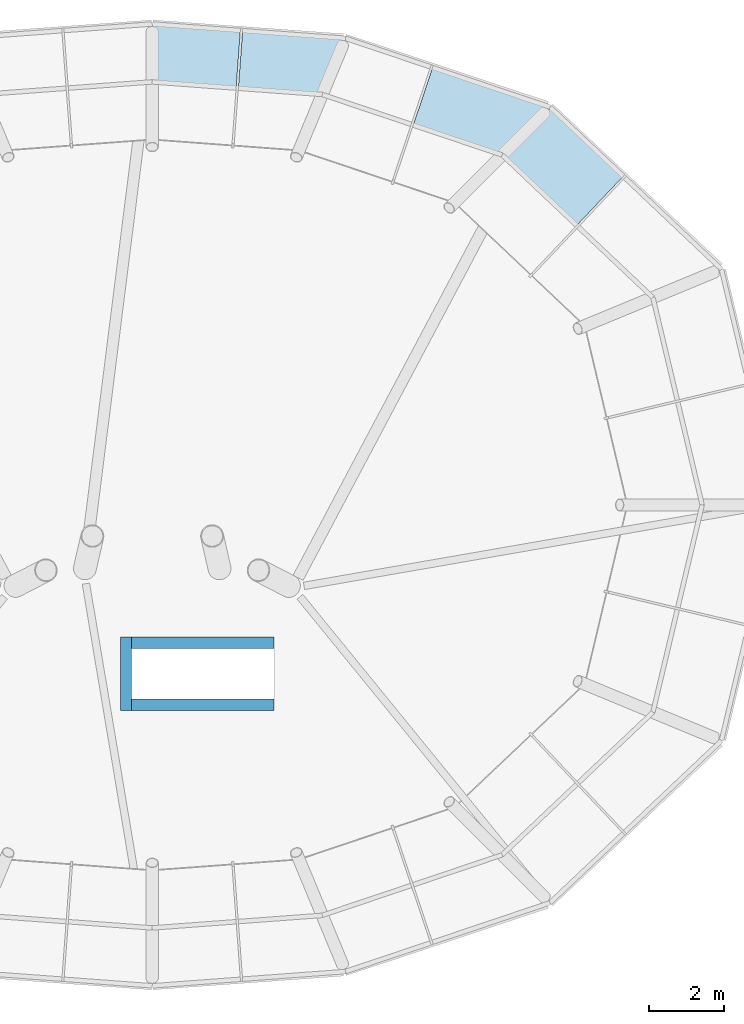
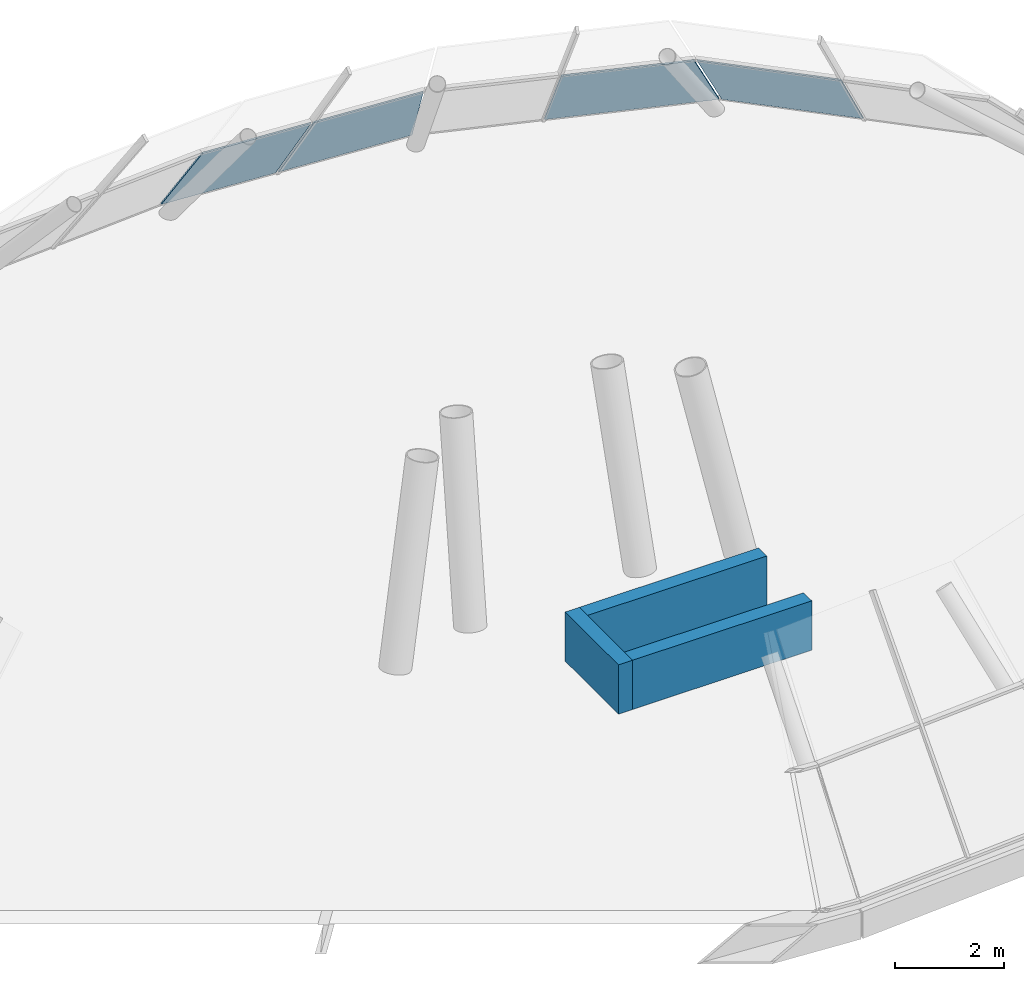
# One storey, part 4 of 4: 4 plates, 3 walls, 3 elements without a shape of their own.
"""IFC4 building model written with IfcOpenShell, lengths in metres."""

from ifc_helpers import new_model, si_unit, direction, frame, frame_2d, origin, place, context, subcontext, project, spatial, polyline, rectangle, outline, extrude, material, layer, layer_set, type_object, element, aggregate, save


model = new_model("IFC4")

# Units and contexts
model_context = context("Model", 3, precision=1e-05, world=origin(), true_north=direction((0.0, 1.0)))
body_context = subcontext(model_context, "Body", "Model", "MODEL_VIEW")
ifc_project = project(units=[si_unit("LENGTHUNIT", "METRE"), si_unit("AREAUNIT", "SQUARE_METRE"), si_unit("VOLUMEUNIT", "CUBIC_METRE"), si_unit("PLANEANGLEUNIT", "RADIAN"), si_unit("MASSUNIT", "GRAM", prefix="KILO")], contexts=[model_context])

# Site, building, storey
site_placement = place(None, origin())
site = spatial("IfcSite", under=ifc_project, at=site_placement, CompositionType="ELEMENT")
building_placement = place(site_placement, origin())
building = spatial("IfcBuilding", under=site, at=building_placement, Name="Rubra Terraces Tower", CompositionType="ELEMENT")
storey_placement = place(building_placement, frame((0.0, 0.0, 324.60009765625)))
storey = spatial("IfcBuildingStorey", under=building, at=storey_placement, Name="L80", CompositionType="ELEMENT", Elevation=324.60009765625)

# Curtain wall, plate
ifc_material_1 = material(Name="Aluminium and glass", Category="aluminium")
curtain_wall_type = type_object("IfcCurtainWallType", Name="Curtain wall Crown glazing", PredefinedType="NOTDEFINED", material=ifc_material_1)
curtain_wall_1_placement = place(storey_placement, origin())
curtain_wall_1 = element("IfcCurtainWall", 1, at=curtain_wall_1_placement, inside=storey, type_object=curtain_wall_type, Name="Crown glazing L80 facet 2", PredefinedType="NOTDEFINED")
ifc_material_2 = material(Name="Clear glass, laminated", Category="glass")
ifc_layer_1 = layer(ifc_material_2, 0.028076171875)
ifc_layer_set_1 = layer_set([ifc_layer_1], Name="Clear glass, laminated")
plate_type = type_object("IfcPlateType", Name="Crown glazing glass panel 28", PredefinedType="CURTAIN_PANEL", material=ifc_layer_set_1)
plate_1_placement = place(storey_placement, frame((12.534423828125, 8.740966796875, 0.021728515625), z_axis=(0.521231340121, 0.551176035659, 0.651554194056), x_axis=(-0.726567378819, 0.687095221956, -1.123479e-06)))
plate_1 = element("IfcPlate", 2, at=plate_1_placement, type_object=plate_type, Name="Crown glazing L80 facet 2 panel 2.1", PredefinedType="CURTAIN_PANEL", context=body_context, shape_type="SweptSolid", body=[
    extrude(outline(polyline([(0.0, 0.0), (2.6535472920169383, 1.1102230246251565e-16), (2.7026885196500294, 2.7107749183072207), (9.386973819153785e-05, 2.7107669859346673), (0.0, 0.0)])), origin(), (0.0, 0.0, -1.0), 0.028076171875),
])
aggregate(curtain_wall_1, [plate_1])

curtain_wall_2_placement = place(storey_placement, origin())
curtain_wall_2 = element("IfcCurtainWall", 3, at=curtain_wall_2_placement, inside=storey, type_object=curtain_wall_type, Name="Crown glazing L80 facet 3", PredefinedType="NOTDEFINED")
plate_2_placement = place(storey_placement, frame((10.5556640625, 10.59375, 0.022705078125), z_axis=(0.252532193341, 0.75119141159, 0.609867981189), x_axis=(-0.947871976474, 0.318651402344, -1.2309e-08)))
plate_2 = element("IfcPlate", 4, at=plate_2_placement, type_object=plate_type, Name="Crown glazing L80 facet 3 panel 1.1", PredefinedType="CURTAIN_PANEL", context=body_context, shape_type="SweptSolid", body=[
    extrude(outline(polyline([(0.0, 0.0), (3.2623447571281563, -1.1102230246251565e-16), (3.262473015984126, 2.592347705022606), (0.7854503642443929, 2.5923476158819003), (0.0, 0.0)])), origin(), (0.0, 0.0, -1.0), 0.028076171875),
])
aggregate(curtain_wall_2, [plate_2])

# Curtain wall, plates
curtain_wall_3_placement = place(storey_placement, origin())
curtain_wall_3 = element("IfcCurtainWall", 5, at=curtain_wall_3_placement, inside=storey, type_object=curtain_wall_type, Name="Crown glazing L80 facet 4", PredefinedType="NOTDEFINED")
plate_3_placement = place(storey_placement, frame((5.112060546875, 12.415283203125, 0.023681640625), z_axis=(0.059536857478, 0.804586686028, 0.590843149463), x_axis=(-0.997273502951, 0.073794039796, 1.402206e-06)))
plate_3 = element("IfcPlate", 6, at=plate_3_placement, type_object=plate_type, Name="Crown glazing L80 facet 4 panel 1.1", PredefinedType="CURTAIN_PANEL", context=body_context, shape_type="SweptSolid", body=[
    extrude(outline(polyline([(0.0, 0.0), (2.7129629082857103, -2.7755575615628914e-17), (2.7128844303422657, 2.544026904956263), (0.49639119245560276, 2.5440354724222303), (0.0, 0.0)])), origin(), (0.0, 0.0, -1.0), 0.028076171875),
])
plate_4_placement = place(storey_placement, frame((2.3466796875, 12.619873046875, 0.023681640625), z_axis=(0.059498882265, 0.804581235647, 0.59085439683), x_axis=(-0.997276277706, 0.073756530641, -1.0656988e-05)))
plate_4 = element("IfcPlate", 7, at=plate_4_placement, type_object=plate_type, Name="Crown glazing L80 facet 4 panel 2.1", PredefinedType="CURTAIN_PANEL", context=body_context, shape_type="SweptSolid", body=[
    extrude(outline(polyline([(0.0, 0.0), (2.3232248437342835, 1.3877787807814457e-17), (2.2120279654446784, 2.5440868136008694), (-4.6694666530508125e-05, 2.5440269054012243), (0.0, 0.0)])), origin(), (0.0, 0.0, -1.0), 0.028076171875),
])
aggregate(curtain_wall_3, [plate_3, plate_4])

# Walls
ifc_material_3 = material(Name="Blockwork", Category="masonry")
ifc_layer_2 = layer(ifc_material_3, 0.300048828125)
ifc_layer_set_2 = layer_set([ifc_layer_2], Name="Blockwork")
wall_type = type_object("IfcWallType", Name="Crown parapet wall 300 blockwork", PredefinedType="PARAPET", material=ifc_layer_set_2)
wall_placement = place(storey_placement, frame((-0.696044921875, -5.47509765625, 0.0), z_axis=(0.0, 0.0, 1.0), x_axis=(0.0, 1.0, 0.0)))
element("IfcWall", 8, at=wall_placement, inside=storey, type_object=wall_type, Name="CROWN DECK PARAPET L80", PredefinedType="PARAPET", context=body_context, shape_type="SweptSolid", body=[
    extrude(rectangle(XDim=1.9501953125, YDim=0.300048828125, at=frame_2d((0.97509765625, 0.0))), origin(), (0.0, 0.0, 1.0), 1.099853515625),
])
for number, where, z_axis, x_axis, name in (
    (9, (-0.845947265625, -5.324951171875, 0.0), (0.0, 0.0, 1.0), (1.0, 0.0, 0.0), "CROWN DECK PARAPET L80"),
    (10, (-0.845947265625, -3.675048828125, 0.0), (0.0, 0.0, 1.0), (1.0, 0.0, 0.0), "CROWN DECK PARAPET L80"),
):
    element("IfcWall", number, at=place(storey_placement, frame(where, z_axis=z_axis, x_axis=x_axis)), inside=storey, type_object=wall_type, Name=name, PredefinedType="PARAPET", context=body_context, shape_type="SweptSolid", body=[
        extrude(rectangle(XDim=4.083984375, YDim=0.300048828125, at=frame_2d((2.0419921875, 0.0))), origin(), (0.0, 0.0, 1.0), 1.099853515625),
    ])

save(model, "model.ifc")
